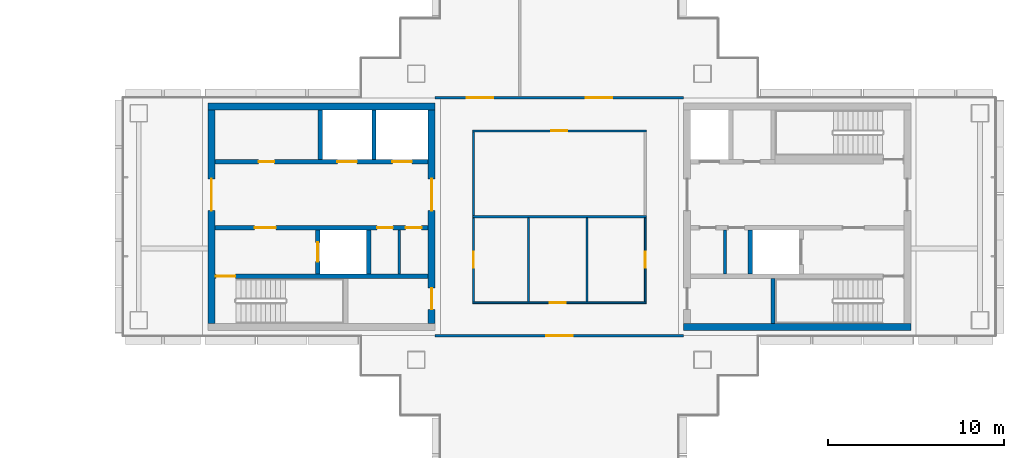
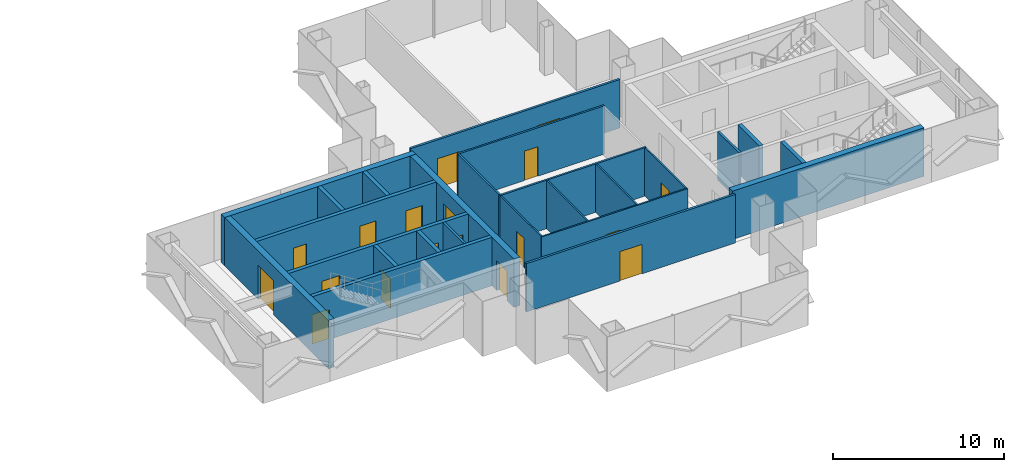
# One storey, part 11 of 17: 25 walls, 18 doors, 18 openings.
"""IFC4 building model written with IfcOpenShell, lengths in metres."""

from ifc_helpers import new_model, si_unit, direction, frame, frame_2d, origin, place, context, subcontext, project, spatial, rectangle, extrude, material, layer, layer_set, type_object, element, fill, save


model = new_model("IFC4")

# Units and contexts
model_context = context("Model", 3, precision=1e-05, world=origin(), true_north=direction((0.0, 1.0)))
body_context = subcontext(model_context, "Body", "Model", "MODEL_VIEW")
ifc_project = project(units=[si_unit("LENGTHUNIT", "METRE"), si_unit("AREAUNIT", "SQUARE_METRE"), si_unit("VOLUMEUNIT", "CUBIC_METRE"), si_unit("PLANEANGLEUNIT", "RADIAN"), si_unit("MASSUNIT", "GRAM", prefix="KILO")], contexts=[model_context])

# Site, building, storey
site_placement = place(None, origin())
site = spatial("IfcSite", under=ifc_project, at=site_placement, CompositionType="ELEMENT")
building_placement = place(site_placement, origin())
building = spatial("IfcBuilding", under=site, at=building_placement, Name="Shamsa Quay Exchange Towers", CompositionType="ELEMENT")
storey_placement = place(building_placement, frame((0.0, 0.0, 221.699951171875)))
storey = spatial("IfcBuildingStorey", under=building, at=storey_placement, Name="L53", CompositionType="ELEMENT", Elevation=221.699951171875)

# Wall
ifc_material_1 = material(Name="Concrete C60/75", Category="concrete")
ifc_layer_1 = layer(ifc_material_1, 0.39990234375)
ifc_layer_set_1 = layer_set([ifc_layer_1], Name="CORE WALL 400 C60/75")
wall_type_1 = type_object("IfcWallType", Name="CORE WALL 400 C60/75", PredefinedType="SHEAR", material=ifc_layer_set_1)
wall_1_placement = place(storey_placement, frame((13.800048828125, 6.25, 0.0)))
element("IfcWall", 1, at=wall_1_placement, inside=storey, type_object=wall_type_1, Name="Core wall T2A-R24-PN", PredefinedType="SHEAR", context=body_context, shape_type="SweptSolid", body=[
    extrude(rectangle(XDim=12.89990234375, YDim=0.39990234375, at=frame_2d((6.449951171875, 0.0))), origin(), (0.0, 0.0, 1.0), 3.449951171875),
])

# Wall, opening, door
wall_2_placement = place(storey_placement, frame((14.0, 6.050048828125, 0.0), z_axis=(0.0, 0.0, 1.0), x_axis=(0.0, -1.0, 0.0)))
wall_2 = element("IfcWall", 2, at=wall_2_placement, inside=storey, type_object=wall_type_1, Name="Core wall T2A-R24-PF", PredefinedType="SHEAR", context=body_context, shape_type="SweptSolid", body=[
    extrude(rectangle(XDim=12.10009765625, YDim=0.39990234375, at=frame_2d((6.050048828125, 0.0))), origin(), (0.0, 0.0, 1.0), 3.449951171875),
])
opening_1_placement = place(wall_2_placement, frame((3.89990234375, 0.0, 0.0)))
opening_1 = element("IfcOpeningElement", 3, at=opening_1_placement, cuts=wall_2, Name="Opening T2A-R24-LBD01", PredefinedType="OPENING", context=body_context, shape_type="SweptSolid", body=[
    extrude(rectangle(XDim=1.800048828125, YDim=2.39990234375, at=frame_2d((0.89990234375, 1.199951171875))), frame((0.0, 0.2099609375, 0.0), z_axis=(0.0, -1.0, 0.0), x_axis=(1.0, 0.0, 0.0)), (0.0, 0.0, 1.0), 0.419921875),
])
ifc_material_2 = material(Name="Steel, fire rated", Category="steel")
door_type_1 = type_object("IfcDoorType", Name="LIFT LOBBY DOOR PAIR 1800", OperationType="DOUBLE_DOOR_SINGLE_SWING", PredefinedType="DOOR", material=ifc_material_2)
door_1_placement = place(opening_1_placement, origin())
door_1 = element("IfcDoor", 4, at=door_1_placement, inside=storey, type_object=door_type_1, Name="T2A-R24-LBD01", OperationType="DOUBLE_DOOR_SINGLE_SWING", OverallHeight=2.39990234375, OverallWidth=1.800048828125, PredefinedType="DOOR", context=body_context, shape_type="SweptSolid", body=[
    extrude(rectangle(XDim=1.800048828125, YDim=2.39990234375, at=frame_2d((0.89990234375, 1.199951171875))), frame((0.0, 0.02490234375, 0.0), z_axis=(0.0, -1.0, 0.0), x_axis=(1.0, 0.0, 0.0)), (0.0, 0.0, 1.0), 0.050048828125),
])
fill(opening_1, door_1)

# Wall, openings, doors
wall_3_placement = place(storey_placement, frame((26.5, 6.050048828125, 0.0), z_axis=(0.0, 0.0, 1.0), x_axis=(0.0, -1.0, 0.0)))
wall_3 = element("IfcWall", 5, at=wall_3_placement, inside=storey, type_object=wall_type_1, Name="Core wall T2A-R24-PB", PredefinedType="SHEAR", context=body_context, shape_type="SweptSolid", body=[
    extrude(rectangle(XDim=12.10009765625, YDim=0.39990234375, at=frame_2d((6.050048828125, 0.0))), origin(), (0.0, 0.0, 1.0), 3.449951171875),
])
opening_2_placement = place(wall_3_placement, frame((10.10009765625, 0.0, 0.0)))
opening_2 = element("IfcOpeningElement", 6, at=opening_2_placement, cuts=wall_3, Name="Opening T2A-R24-RD02", PredefinedType="OPENING", context=body_context, shape_type="SweptSolid", body=[
    extrude(rectangle(XDim=1.199951171875, YDim=2.10009765625, at=frame_2d((0.60009765625, 1.050048828125))), frame((0.0, 0.2099609375, 0.0), z_axis=(0.0, -1.0, 0.0), x_axis=(1.0, 0.0, 0.0)), (0.0, 0.0, 1.0), 0.419921875),
])
opening_3_placement = place(wall_3_placement, frame((3.89990234375, 0.0, 0.0)))
opening_3 = element("IfcOpeningElement", 7, at=opening_3_placement, cuts=wall_3, Name="Opening T2A-R24-LBD03", PredefinedType="OPENING", context=body_context, shape_type="SweptSolid", body=[
    extrude(rectangle(XDim=1.800048828125, YDim=2.39990234375, at=frame_2d((0.89990234375, 1.199951171875))), frame((0.0, 0.2099609375, 0.0), z_axis=(0.0, -1.0, 0.0), x_axis=(1.0, 0.0, 0.0)), (0.0, 0.0, 1.0), 0.419921875),
])
door_2_placement = place(opening_3_placement, origin())
door_2 = element("IfcDoor", 8, at=door_2_placement, inside=storey, type_object=door_type_1, Name="T2A-R24-LBD03", OperationType="DOUBLE_DOOR_SINGLE_SWING", OverallHeight=2.39990234375, OverallWidth=1.800048828125, PredefinedType="DOOR", context=body_context, shape_type="SweptSolid", body=[
    extrude(rectangle(XDim=1.800048828125, YDim=2.39990234375, at=frame_2d((0.89990234375, 1.199951171875))), frame((0.0, 0.02490234375, 0.0), z_axis=(0.0, -1.0, 0.0), x_axis=(1.0, 0.0, 0.0)), (0.0, 0.0, 1.0), 0.050048828125),
])
fill(opening_3, door_2)
door_type_2 = type_object("IfcDoorType", Name="RISER ACCESS DOOR 1200", OperationType="SINGLE_SWING_LEFT", PredefinedType="DOOR", material=ifc_material_2)
door_3_placement = place(opening_2_placement, origin())
door_3 = element("IfcDoor", 9, at=door_3_placement, inside=storey, type_object=door_type_2, Name="T2A-R24-RD02", OperationType="SINGLE_SWING_RIGHT", OverallHeight=2.10009765625, OverallWidth=1.199951171875, PredefinedType="DOOR", context=body_context, shape_type="SweptSolid", body=[
    extrude(rectangle(XDim=1.199951171875, YDim=2.10009765625, at=frame_2d((0.60009765625, 1.050048828125))), frame((0.0, 0.02490234375, 0.0), z_axis=(0.0, -1.0, 0.0), x_axis=(1.0, 0.0, 0.0)), (0.0, 0.0, 1.0), 0.050048828125),
])
fill(opening_2, door_3)

# Walls
wall_4_placement = place(storey_placement, frame((53.699951171875, -6.25, 0.0), z_axis=(0.0, 0.0, 1.0), x_axis=(-1.0, 0.0, 0.0)))
element("IfcWall", 10, at=wall_4_placement, inside=storey, type_object=wall_type_1, Name="Core wall T2B-R24-PS", PredefinedType="SHEAR", context=body_context, shape_type="SweptSolid", body=[
    extrude(rectangle(XDim=12.89990234375, YDim=0.39990234375, at=frame_2d((6.449951171875, 0.0))), origin(), (0.0, 0.0, 1.0), 3.449951171875),
])
ifc_material_3 = material(Name="Gypsum board on steel studs, EI 60", Category="steel")
ifc_layer_2 = layer(ifc_material_3, 0.14990234375)
ifc_layer_set_2 = layer_set([ifc_layer_2], Name="FIRE PARTITION 150")
wall_type_2 = type_object("IfcWallType", Name="FIRE PARTITION 150", PredefinedType="PARTITIONING", material=ifc_layer_set_2)
for number, where, z_axis, x_axis, name in (
    (11, (24.64990234375, -3.25, 0.0), (0.0, 0.0, 1.0), (0.0, 1.0, 0.0), "Partition T2A-R24-EC0"),
    (12, (43.14990234375, -3.25, 0.0), (0.0, 0.0, 1.0), (0.0, 1.0, 0.0), "Partition T2B-R24-EC0"),
):
    element("IfcWall", number, at=place(storey_placement, frame(where, z_axis=z_axis, x_axis=x_axis)), inside=storey, type_object=wall_type_2, Name=name, PredefinedType="PARTITIONING", context=body_context, shape_type="SweptSolid", body=[
        extrude(rectangle(XDim=2.5, YDim=0.14990234375, at=frame_2d((1.25, 0.0))), origin(), (0.0, 0.0, 1.0), 3.449951171875),
    ])
ifc_material_4 = material(Name="Laminated fire-resisting glass in a metal frame", Category="glass")
ifc_layer_3 = layer(ifc_material_4, 0.125)
ifc_layer_set_3 = layer_set([ifc_layer_3], Name="Glazed partition 125 mm EI 60")
wall_type_3 = type_object("IfcWallType", Name="Glazed partition 125 mm EI 60", PredefinedType="PARTITIONING", material=ifc_layer_set_3)
wall_5_placement = place(storey_placement, frame((28.875, 4.8125, 0.0), z_axis=(0.0, 0.0, 1.0), x_axis=(0.0, -1.0, 0.0)))
element("IfcWall", 13, at=wall_5_placement, inside=storey, type_object=wall_type_3, Name="Partition T2-R24-W05", PredefinedType="PARTITIONING", context=body_context, shape_type="SweptSolid", body=[
    extrude(rectangle(XDim=4.75, YDim=0.125, at=frame_2d((2.375, 0.0))), origin(), (0.0, 0.0, 1.0), 3.449951171875),
])

# Wall, opening, door
wall_6_placement = place(storey_placement, frame((38.6875, 4.875, 0.0), z_axis=(0.0, 0.0, 1.0), x_axis=(-1.0, 0.0, 0.0)))
wall_6 = element("IfcWall", 14, at=wall_6_placement, inside=storey, type_object=wall_type_3, Name="Partition T2-R24-W06", PredefinedType="PARTITIONING", context=body_context, shape_type="SweptSolid", body=[
    extrude(rectangle(XDim=9.875, YDim=0.125, at=frame_2d((4.9375, 0.0))), origin(), (0.0, 0.0, 1.0), 3.449951171875),
])
opening_4_placement = place(wall_6_placement, frame((4.487548828125, 0.0, 0.0)))
opening_4 = element("IfcOpeningElement", 15, at=opening_4_placement, cuts=wall_6, Name="Opening T2-R24-D06", PredefinedType="OPENING", context=body_context, shape_type="SweptSolid", body=[
    extrude(rectangle(XDim=0.89990234375, YDim=2.10009765625, at=frame_2d((0.449951171875, 1.050048828125))), frame((0.0, 0.072509765625, 0.0), z_axis=(0.0, -1.0, 0.0), x_axis=(1.0, 0.0, 0.0)), (0.0, 0.0, 1.0), 0.14501953125),
])
ifc_material_5 = material(Name="Timber door leaf in a metal frame", Category="wood")
door_type_3 = type_object("IfcDoorType", Name="Door 900x2100 FD30S", OperationType="NOTDEFINED", PredefinedType="DOOR", material=ifc_material_5)
door_4_placement = place(opening_4_placement, origin())
door_4 = element("IfcDoor", 16, at=door_4_placement, inside=storey, type_object=door_type_3, Name="Door T2-R24-D06", OperationType="SINGLE_SWING_LEFT", OverallHeight=2.10009765625, OverallWidth=0.89990234375, PredefinedType="DOOR", context=body_context, shape_type="SweptSolid", body=[
    extrude(rectangle(XDim=0.89990234375, YDim=2.10009765625, at=frame_2d((0.449951171875, 1.050048828125))), frame((0.0, 0.02490234375, 0.0), z_axis=(0.0, -1.0, 0.0), x_axis=(1.0, 0.0, 0.0)), (0.0, 0.0, 1.0), 0.050048828125),
])
fill(opening_4, door_4)

# Wall
wall_7_placement = place(storey_placement, frame((38.6875, 0.0, 0.0), z_axis=(0.0, 0.0, 1.0), x_axis=(-1.0, 0.0, 0.0)))
element("IfcWall", 17, at=wall_7_placement, inside=storey, type_object=wall_type_3, Name="Partition T2-R24-W10", PredefinedType="PARTITIONING", context=body_context, shape_type="SweptSolid", body=[
    extrude(rectangle(XDim=9.875, YDim=0.125, at=frame_2d((4.9375, 0.0))), origin(), (0.0, 0.0, 1.0), 3.449951171875),
])

# Wall, opening, door
ifc_material_6 = material(Name="Gypsum board partition on metal studs")
ifc_layer_4 = layer(ifc_material_6, 0.10009765625)
ifc_layer_set_4 = layer_set([ifc_layer_4], Name="Partition 100 mm NOT RATED")
wall_type_4 = type_object("IfcWallType", Name="Partition 100 mm NOT RATED", PredefinedType="PARTITIONING", material=ifc_layer_set_4)
wall_8_placement = place(storey_placement, frame((38.625, -4.824951171875, 0.0), z_axis=(0.0, 0.0, 1.0), x_axis=(0.0, 1.0, 0.0)))
wall_8 = element("IfcWall", 18, at=wall_8_placement, inside=storey, type_object=wall_type_4, Name="Partition T2-R24-W01", PredefinedType="PARTITIONING", context=body_context, shape_type="SweptSolid", body=[
    extrude(rectangle(XDim=4.762451171875, YDim=0.10009765625, at=frame_2d((2.38134765625, 0.0))), origin(), (0.0, 0.0, 1.0), 3.449951171875),
])
opening_5_placement = place(wall_8_placement, frame((1.9375, 0.0, 0.0)))
opening_5 = element("IfcOpeningElement", 19, at=opening_5_placement, cuts=wall_8, Name="Opening T2-R24-D04", PredefinedType="OPENING", context=body_context, shape_type="SweptSolid", body=[
    extrude(rectangle(XDim=0.89990234375, YDim=2.10009765625, at=frame_2d((0.449951171875, 1.050048828125))), frame((0.0, 0.06005859375, 0.0), z_axis=(0.0, -1.0, 0.0), x_axis=(1.0, 0.0, 0.0)), (0.0, 0.0, 1.0), 0.1201171875),
])
door_type_4 = type_object("IfcDoorType", Name="Door 900x2100 NOT RATED", OperationType="NOTDEFINED", PredefinedType="DOOR", material=ifc_material_5)
door_5_placement = place(opening_5_placement, origin())
door_5 = element("IfcDoor", 20, at=door_5_placement, inside=storey, type_object=door_type_4, Name="Door T2-R24-D04", OperationType="SINGLE_SWING_LEFT", OverallHeight=2.10009765625, OverallWidth=0.89990234375, PredefinedType="DOOR", context=body_context, shape_type="SweptSolid", body=[
    extrude(rectangle(XDim=0.89990234375, YDim=2.10009765625, at=frame_2d((0.449951171875, 1.050048828125))), frame((0.0, 0.02490234375, 0.0), z_axis=(0.0, -1.0, 0.0), x_axis=(1.0, 0.0, 0.0)), (0.0, 0.0, 1.0), 0.050048828125),
])
fill(opening_5, door_5)

wall_9_placement = place(storey_placement, frame((28.824951171875, -4.875, 0.0)))
wall_9 = element("IfcWall", 21, at=wall_9_placement, inside=storey, type_object=wall_type_4, Name="Partition T2-R24-W02", PredefinedType="PARTITIONING", context=body_context, shape_type="SweptSolid", body=[
    extrude(rectangle(XDim=9.85009765625, YDim=0.10009765625, at=frame_2d((4.925048828125, 0.0))), origin(), (0.0, 0.0, 1.0), 3.449951171875),
])
opening_6_placement = place(wall_9_placement, frame((4.381103515625, 0.0, 0.0)))
opening_6 = element("IfcOpeningElement", 22, at=opening_6_placement, cuts=wall_9, Name="Opening T2-R24-D03", PredefinedType="OPENING", context=body_context, shape_type="SweptSolid", body=[
    extrude(rectangle(XDim=0.89990234375, YDim=2.10009765625, at=frame_2d((0.449951171875, 1.050048828125))), frame((0.0, 0.06005859375, 0.0), z_axis=(0.0, -1.0, 0.0), x_axis=(1.0, 0.0, 0.0)), (0.0, 0.0, 1.0), 0.1201171875),
])
door_6_placement = place(opening_6_placement, origin())
door_6 = element("IfcDoor", 23, at=door_6_placement, inside=storey, type_object=door_type_4, Name="Door T2-R24-D03", OperationType="SINGLE_SWING_RIGHT", OverallHeight=2.10009765625, OverallWidth=0.89990234375, PredefinedType="DOOR", context=body_context, shape_type="SweptSolid", body=[
    extrude(rectangle(XDim=0.89990234375, YDim=2.10009765625, at=frame_2d((0.449951171875, 1.050048828125))), frame((0.0, 0.02490234375, 0.0), z_axis=(0.0, -1.0, 0.0), x_axis=(1.0, 0.0, 0.0)), (0.0, 0.0, 1.0), 0.050048828125),
])
fill(opening_6, door_6)

wall_10_placement = place(storey_placement, frame((28.875, -0.0625, 0.0), z_axis=(0.0, 0.0, 1.0), x_axis=(0.0, -1.0, 0.0)))
wall_10 = element("IfcWall", 24, at=wall_10_placement, inside=storey, type_object=wall_type_4, Name="Partition T2-R24-W03", PredefinedType="PARTITIONING", context=body_context, shape_type="SweptSolid", body=[
    extrude(rectangle(XDim=4.762451171875, YDim=0.10009765625, at=frame_2d((2.38134765625, 0.0))), origin(), (0.0, 0.0, 1.0), 3.449951171875),
])
opening_7_placement = place(wall_10_placement, frame((1.925048828125, 0.0, 0.0)))
opening_7 = element("IfcOpeningElement", 25, at=opening_7_placement, cuts=wall_10, Name="Opening T2-R24-D05", PredefinedType="OPENING", context=body_context, shape_type="SweptSolid", body=[
    extrude(rectangle(XDim=0.89990234375, YDim=2.10009765625, at=frame_2d((0.449951171875, 1.050048828125))), frame((0.0, 0.06005859375, 0.0), z_axis=(0.0, -1.0, 0.0), x_axis=(1.0, 0.0, 0.0)), (0.0, 0.0, 1.0), 0.1201171875),
])
door_7_placement = place(opening_7_placement, origin())
door_7 = element("IfcDoor", 26, at=door_7_placement, inside=storey, type_object=door_type_4, Name="Door T2-R24-D05", OperationType="SINGLE_SWING_RIGHT", OverallHeight=2.10009765625, OverallWidth=0.89990234375, PredefinedType="DOOR", context=body_context, shape_type="SweptSolid", body=[
    extrude(rectangle(XDim=0.89990234375, YDim=2.10009765625, at=frame_2d((0.449951171875, 1.050048828125))), frame((0.0, 0.02490234375, 0.0), z_axis=(0.0, -1.0, 0.0), x_axis=(1.0, 0.0, 0.0)), (0.0, 0.0, 1.0), 0.050048828125),
])
fill(opening_7, door_7)

# Walls
for number, where, z_axis, x_axis, name in (
    (27, (35.3125, -0.0625, 0.0), (0.0, 0.0, 1.0), (0.0, -1.0, 0.0), "Partition T2-R24-W09"),
    (28, (32.0, -0.0625, 0.0), (0.0, 0.0, 1.0), (0.0, -1.0, 0.0), "Partition T2-R24-W11"),
):
    element("IfcWall", number, at=place(storey_placement, frame(where, z_axis=z_axis, x_axis=x_axis)), inside=storey, type_object=wall_type_4, Name=name, PredefinedType="PARTITIONING", context=body_context, shape_type="SweptSolid", body=[
        extrude(rectangle(XDim=4.762451171875, YDim=0.10009765625, at=frame_2d((2.38134765625, 0.0))), origin(), (0.0, 0.0, 1.0), 3.449951171875),
    ])

# Wall, openings, doors
ifc_layer_5 = layer(ifc_material_6, 0.14990234375)
ifc_layer_set_5 = layer_set([ifc_layer_5], Name="Partition 150 mm EI 60")
wall_type_5 = type_object("IfcWallType", Name="Partition 150 mm EI 60", PredefinedType="PARTITIONING", material=ifc_layer_set_5)
wall_11_placement = place(storey_placement, frame((26.699951171875, 6.75, 0.0)))
wall_11 = element("IfcWall", 29, at=wall_11_placement, inside=storey, type_object=wall_type_5, Name="Partition T2-R24-W07", PredefinedType="PARTITIONING", context=body_context, shape_type="SweptSolid", body=[
    extrude(rectangle(XDim=14.10009765625, YDim=0.14990234375, at=frame_2d((7.050048828125, 0.0))), origin(), (0.0, 0.0, 1.0), 3.449951171875),
])
opening_8_placement = place(wall_11_placement, frame((8.550048828125, 0.0, 0.0)))
opening_8 = element("IfcOpeningElement", 30, at=opening_8_placement, cuts=wall_11, Name="Opening T2-R24-D01", PredefinedType="OPENING", context=body_context, shape_type="SweptSolid", body=[
    extrude(rectangle(XDim=1.5, YDim=2.10009765625, at=frame_2d((0.75, 1.050048828125))), frame((0.0, 0.0849609375, 0.0), z_axis=(0.0, -1.0, 0.0), x_axis=(1.0, 0.0, 0.0)), (0.0, 0.0, 1.0), 0.169921875),
])
opening_9_placement = place(wall_11_placement, frame((1.800048828125, 0.0, 0.0)))
opening_9 = element("IfcOpeningElement", 31, at=opening_9_placement, cuts=wall_11, Name="Opening T2-R24-D02", PredefinedType="OPENING", context=body_context, shape_type="SweptSolid", body=[
    extrude(rectangle(XDim=1.5, YDim=2.10009765625, at=frame_2d((0.75, 1.050048828125))), frame((0.0, 0.0849609375, 0.0), z_axis=(0.0, -1.0, 0.0), x_axis=(1.0, 0.0, 0.0)), (0.0, 0.0, 1.0), 0.169921875),
])
door_type_5 = type_object("IfcDoorType", Name="Door 1500x2100 FD30S pair", OperationType="NOTDEFINED", PredefinedType="DOOR", material=ifc_material_5)
door_8_placement = place(opening_8_placement, origin())
door_8 = element("IfcDoor", 32, at=door_8_placement, inside=storey, type_object=door_type_5, Name="Door T2-R24-D01", OperationType="DOUBLE_DOOR_SINGLE_SWING", OverallHeight=2.10009765625, OverallWidth=1.5, PredefinedType="DOOR", context=body_context, shape_type="SweptSolid", body=[
    extrude(rectangle(XDim=1.5, YDim=2.10009765625, at=frame_2d((0.75, 1.050048828125))), frame((0.0, 0.02490234375, 0.0), z_axis=(0.0, -1.0, 0.0), x_axis=(1.0, 0.0, 0.0)), (0.0, 0.0, 1.0), 0.050048828125),
])
fill(opening_8, door_8)
door_9_placement = place(opening_9_placement, origin())
door_9 = element("IfcDoor", 33, at=door_9_placement, inside=storey, type_object=door_type_5, Name="Door T2-R24-D02", OperationType="DOUBLE_DOOR_SINGLE_SWING", OverallHeight=2.10009765625, OverallWidth=1.5, PredefinedType="DOOR", context=body_context, shape_type="SweptSolid", body=[
    extrude(rectangle(XDim=1.5, YDim=2.10009765625, at=frame_2d((0.75, 1.050048828125))), frame((0.0, 0.02490234375, 0.0), z_axis=(0.0, -1.0, 0.0), x_axis=(1.0, 0.0, 0.0)), (0.0, 0.0, 1.0), 0.050048828125),
])
fill(opening_9, door_9)

# Wall, opening, door
wall_12_placement = place(storey_placement, frame((40.800048828125, -6.75, 0.0), z_axis=(0.0, 0.0, 1.0), x_axis=(-1.0, 0.0, 0.0)))
wall_12 = element("IfcWall", 34, at=wall_12_placement, inside=storey, type_object=wall_type_5, Name="Partition T2-R24-W08", PredefinedType="PARTITIONING", context=body_context, shape_type="SweptSolid", body=[
    extrude(rectangle(XDim=14.10009765625, YDim=0.14990234375, at=frame_2d((7.050048828125, 0.0))), origin(), (0.0, 0.0, 1.0), 3.449951171875),
])
opening_10_placement = place(wall_12_placement, frame((6.300048828125, 0.0, 0.0)))
opening_10 = element("IfcOpeningElement", 35, at=opening_10_placement, cuts=wall_12, Name="Opening T2-R24-D07", PredefinedType="OPENING", context=body_context, shape_type="SweptSolid", body=[
    extrude(rectangle(XDim=1.5, YDim=2.10009765625, at=frame_2d((0.75, 1.050048828125))), frame((0.0, 0.0849609375, 0.0), z_axis=(0.0, -1.0, 0.0), x_axis=(1.0, 0.0, 0.0)), (0.0, 0.0, 1.0), 0.169921875),
])
door_10_placement = place(opening_10_placement, origin())
door_10 = element("IfcDoor", 36, at=door_10_placement, inside=storey, type_object=door_type_5, Name="Door T2-R24-D07", OperationType="DOUBLE_DOOR_SINGLE_SWING", OverallHeight=2.10009765625, OverallWidth=1.5, PredefinedType="DOOR", context=body_context, shape_type="SweptSolid", body=[
    extrude(rectangle(XDim=1.5, YDim=2.10009765625, at=frame_2d((0.75, 1.050048828125))), frame((0.0, 0.02490234375, 0.0), z_axis=(0.0, -1.0, 0.0), x_axis=(1.0, 0.0, 0.0)), (0.0, 0.0, 1.0), 0.050048828125),
])
fill(opening_10, door_10)

ifc_material_7 = material(Name="Concrete C50/60", Category="concrete")
ifc_layer_6 = layer(ifc_material_7, 0.25)
ifc_layer_set_6 = layer_set([ifc_layer_6], Name="SHAFT WALL 250 C50/60")
wall_type_6 = type_object("IfcWallType", Name="SHAFT WALL 250 C50/60", PredefinedType="SHEAR", material=ifc_layer_set_6)
wall_13_placement = place(storey_placement, frame((26.300048828125, -3.375, 0.0), z_axis=(0.0, 0.0, 1.0), x_axis=(-1.0, 0.0, 0.0)))
wall_13 = element("IfcWall", 37, at=wall_13_placement, inside=storey, type_object=wall_type_6, Name="Shaft wall T2A-R24-STL", PredefinedType="SHEAR", context=body_context, shape_type="SweptSolid", body=[
    extrude(rectangle(XDim=12.10009765625, YDim=0.25, at=frame_2d((6.050048828125, 0.0))), origin(), (0.0, 0.0, 1.0), 3.449951171875),
])
opening_11_placement = place(wall_13_placement, frame((10.949951171875, 0.0, 0.0)))
opening_11 = element("IfcOpeningElement", 38, at=opening_11_placement, cuts=wall_13, Name="Opening T2A-R24-SD04", PredefinedType="OPENING", context=body_context, shape_type="SweptSolid", body=[
    extrude(rectangle(XDim=1.10009765625, YDim=2.10009765625, at=frame_2d((0.550048828125, 1.050048828125))), frame((0.0, 0.135009765625, 0.0), z_axis=(0.0, -1.0, 0.0), x_axis=(1.0, 0.0, 0.0)), (0.0, 0.0, 1.0), 0.27001953125),
])
door_type_6 = type_object("IfcDoorType", Name="STAIR DOOR 1100", OperationType="SINGLE_SWING_LEFT", PredefinedType="DOOR", material=ifc_material_2)
door_11_placement = place(opening_11_placement, origin())
door_11 = element("IfcDoor", 39, at=door_11_placement, inside=storey, type_object=door_type_6, Name="T2A-R24-SD04", OperationType="SINGLE_SWING_RIGHT", OverallHeight=2.10009765625, OverallWidth=1.10009765625, PredefinedType="DOOR", context=body_context, shape_type="SweptSolid", body=[
    extrude(rectangle(XDim=1.10009765625, YDim=2.10009765625, at=frame_2d((0.550048828125, 1.050048828125))), frame((0.0, 0.02490234375, 0.0), z_axis=(0.0, -1.0, 0.0), x_axis=(1.0, 0.0, 0.0)), (0.0, 0.0, 1.0), 0.050048828125),
])
fill(opening_11, door_11)

# Wall, openings, doors
wall_14_placement = place(storey_placement, frame((26.300048828125, -0.625, 0.0), z_axis=(0.0, 0.0, 1.0), x_axis=(-1.0, 0.0, 0.0)))
wall_14 = element("IfcWall", 40, at=wall_14_placement, inside=storey, type_object=wall_type_6, Name="Shaft wall T2A-R24-B", PredefinedType="SHEAR", context=body_context, shape_type="SweptSolid", body=[
    extrude(rectangle(XDim=12.10009765625, YDim=0.25, at=frame_2d((6.050048828125, 0.0))), origin(), (0.0, 0.0, 1.0), 3.449951171875),
])
opening_12_placement = place(wall_14_placement, frame((8.64990234375, 0.0, 0.0)))
opening_12 = element("IfcOpeningElement", 41, at=opening_12_placement, cuts=wall_14, Name="Opening T2A-R24-FD05", PredefinedType="OPENING", context=body_context, shape_type="SweptSolid", body=[
    extrude(rectangle(XDim=1.199951171875, YDim=2.10009765625, at=frame_2d((0.60009765625, 1.050048828125))), frame((0.0, 0.135009765625, 0.0), z_axis=(0.0, -1.0, 0.0), x_axis=(1.0, 0.0, 0.0)), (0.0, 0.0, 1.0), 0.27001953125),
])
opening_13_placement = place(wall_14_placement, frame((2.0, 0.0, 0.0)))
opening_13 = element("IfcOpeningElement", 42, at=opening_13_placement, cuts=wall_14, Name="Opening T2A-R24-SV06", PredefinedType="OPENING", context=body_context, shape_type="SweptSolid", body=[
    extrude(rectangle(XDim=0.89990234375, YDim=2.10009765625, at=frame_2d((0.449951171875, 1.050048828125))), frame((0.0, 0.135009765625, 0.0), z_axis=(0.0, -1.0, 0.0), x_axis=(1.0, 0.0, 0.0)), (0.0, 0.0, 1.0), 0.27001953125),
])
opening_14_placement = place(wall_14_placement, frame((0.375, 0.0, 0.0)))
opening_14 = element("IfcOpeningElement", 43, at=opening_14_placement, cuts=wall_14, Name="Opening T2A-R24-SV07", PredefinedType="OPENING", context=body_context, shape_type="SweptSolid", body=[
    extrude(rectangle(XDim=0.89990234375, YDim=2.10009765625, at=frame_2d((0.449951171875, 1.050048828125))), frame((0.0, 0.135009765625, 0.0), z_axis=(0.0, -1.0, 0.0), x_axis=(1.0, 0.0, 0.0)), (0.0, 0.0, 1.0), 0.27001953125),
])
door_type_7 = type_object("IfcDoorType", Name="FIRE SERVICE LOBBY DOOR 1200", OperationType="SINGLE_SWING_LEFT", PredefinedType="DOOR", material=ifc_material_2)
door_12_placement = place(opening_12_placement, origin())
door_12 = element("IfcDoor", 44, at=door_12_placement, inside=storey, type_object=door_type_7, Name="T2A-R24-FD05", OperationType="SINGLE_SWING_RIGHT", OverallHeight=2.10009765625, OverallWidth=1.199951171875, PredefinedType="DOOR", context=body_context, shape_type="SweptSolid", body=[
    extrude(rectangle(XDim=1.199951171875, YDim=2.10009765625, at=frame_2d((0.60009765625, 1.050048828125))), frame((0.0, 0.02490234375, 0.0), z_axis=(0.0, -1.0, 0.0), x_axis=(1.0, 0.0, 0.0)), (0.0, 0.0, 1.0), 0.050048828125),
])
fill(opening_12, door_12)
door_type_8 = type_object("IfcDoorType", Name="SERVICE ROOM DOOR 900", OperationType="SINGLE_SWING_LEFT", PredefinedType="DOOR", material=ifc_material_2)
door_13_placement = place(opening_13_placement, origin())
door_13 = element("IfcDoor", 45, at=door_13_placement, inside=storey, type_object=door_type_8, Name="T2A-R24-SV06", OperationType="SINGLE_SWING_LEFT", OverallHeight=2.10009765625, OverallWidth=0.89990234375, PredefinedType="DOOR", context=body_context, shape_type="SweptSolid", body=[
    extrude(rectangle(XDim=0.89990234375, YDim=2.10009765625, at=frame_2d((0.449951171875, 1.050048828125))), frame((0.0, 0.02490234375, 0.0), z_axis=(0.0, -1.0, 0.0), x_axis=(1.0, 0.0, 0.0)), (0.0, 0.0, 1.0), 0.050048828125),
])
fill(opening_13, door_13)
door_14_placement = place(opening_14_placement, origin())
door_14 = element("IfcDoor", 46, at=door_14_placement, inside=storey, type_object=door_type_8, Name="T2A-R24-SV07", OperationType="SINGLE_SWING_LEFT", OverallHeight=2.10009765625, OverallWidth=0.89990234375, PredefinedType="DOOR", context=body_context, shape_type="SweptSolid", body=[
    extrude(rectangle(XDim=0.89990234375, YDim=2.10009765625, at=frame_2d((0.449951171875, 1.050048828125))), frame((0.0, 0.02490234375, 0.0), z_axis=(0.0, -1.0, 0.0), x_axis=(1.0, 0.0, 0.0)), (0.0, 0.0, 1.0), 0.050048828125),
])
fill(opening_14, door_14)

# Wall, opening, door
wall_15_placement = place(storey_placement, frame((20.02490234375, -3.25, 0.0), z_axis=(0.0, 0.0, 1.0), x_axis=(0.0, 1.0, 0.0)))
wall_15 = element("IfcWall", 47, at=wall_15_placement, inside=storey, type_object=wall_type_6, Name="Shaft wall T2A-R24-FFF", PredefinedType="SHEAR", context=body_context, shape_type="SweptSolid", body=[
    extrude(rectangle(XDim=2.5, YDim=0.25, at=frame_2d((1.25, 0.0))), origin(), (0.0, 0.0, 1.0), 3.449951171875),
])
opening_15_placement = place(wall_15_placement, frame((0.699951171875, 0.0, 0.0)))
opening_15 = element("IfcOpeningElement", 48, at=opening_15_placement, cuts=wall_15, Name="Opening T2A-R24-LDF08", PredefinedType="OPENING", context=body_context, shape_type="SweptSolid", body=[
    extrude(rectangle(XDim=1.10009765625, YDim=2.10009765625, at=frame_2d((0.550048828125, 1.050048828125))), frame((0.0, 0.135009765625, 0.0), z_axis=(0.0, -1.0, 0.0), x_axis=(1.0, 0.0, 0.0)), (0.0, 0.0, 1.0), 0.27001953125),
])
door_type_9 = type_object("IfcDoorType", Name="FIRE SERVICE LANDING DOOR 1100", OperationType="SLIDING_TO_LEFT", PredefinedType="DOOR", material=ifc_material_2)
door_15_placement = place(opening_15_placement, origin())
door_15 = element("IfcDoor", 49, at=door_15_placement, inside=storey, type_object=door_type_9, Name="T2A-R24-LDF08", OperationType="SLIDING_TO_LEFT", OverallHeight=2.10009765625, OverallWidth=1.10009765625, PredefinedType="DOOR", context=body_context, shape_type="SweptSolid", body=[
    extrude(rectangle(XDim=1.10009765625, YDim=2.10009765625, at=frame_2d((0.550048828125, 1.050048828125))), frame((0.0, 0.02490234375, 0.0), z_axis=(0.0, -1.0, 0.0), x_axis=(1.0, 0.0, 0.0)), (0.0, 0.0, 1.0), 0.050048828125),
])
fill(opening_15, door_15)

# Wall
wall_16_placement = place(storey_placement, frame((22.925048828125, -3.25, 0.0), z_axis=(0.0, 0.0, 1.0), x_axis=(0.0, 1.0, 0.0)))
element("IfcWall", 50, at=wall_16_placement, inside=storey, type_object=wall_type_6, Name="Shaft wall T2A-R24-FFB", PredefinedType="SHEAR", context=body_context, shape_type="SweptSolid", body=[
    extrude(rectangle(XDim=2.5, YDim=0.25, at=frame_2d((1.25, 0.0))), origin(), (0.0, 0.0, 1.0), 3.449951171875),
])

# Wall, openings, doors
wall_17_placement = place(storey_placement, frame((14.199951171875, 3.125, 0.0)))
wall_17 = element("IfcWall", 51, at=wall_17_placement, inside=storey, type_object=wall_type_6, Name="Shaft wall T2A-R24-N", PredefinedType="SHEAR", context=body_context, shape_type="SweptSolid", body=[
    extrude(rectangle(XDim=12.10009765625, YDim=0.25, at=frame_2d((6.050048828125, 0.0))), origin(), (0.0, 0.0, 1.0), 3.449951171875),
])
opening_16_placement = place(wall_17_placement, frame((6.949951171875, 0.0, 0.0)))
opening_16 = element("IfcOpeningElement", 52, at=opening_16_placement, cuts=wall_17, Name="Opening T2A-R24-LD09", PredefinedType="OPENING", context=body_context, shape_type="SweptSolid", body=[
    extrude(rectangle(XDim=1.10009765625, YDim=2.10009765625, at=frame_2d((0.550048828125, 1.050048828125))), frame((0.0, 0.135009765625, 0.0), z_axis=(0.0, -1.0, 0.0), x_axis=(1.0, 0.0, 0.0)), (0.0, 0.0, 1.0), 0.27001953125),
])
opening_17_placement = place(wall_17_placement, frame((10.074951171875, 0.0, 0.0)))
opening_17 = element("IfcOpeningElement", 53, at=opening_17_placement, cuts=wall_17, Name="Opening T2A-R24-LD10", PredefinedType="OPENING", context=body_context, shape_type="SweptSolid", body=[
    extrude(rectangle(XDim=1.10009765625, YDim=2.10009765625, at=frame_2d((0.550048828125, 1.050048828125))), frame((0.0, 0.135009765625, 0.0), z_axis=(0.0, -1.0, 0.0), x_axis=(1.0, 0.0, 0.0)), (0.0, 0.0, 1.0), 0.27001953125),
])
opening_18_placement = place(wall_17_placement, frame((2.47509765625, 0.0, 0.0)))
opening_18 = element("IfcOpeningElement", 54, at=opening_18_placement, cuts=wall_17, Name="Opening T2A-R24-SV11", PredefinedType="OPENING", context=body_context, shape_type="SweptSolid", body=[
    extrude(rectangle(XDim=0.89990234375, YDim=2.10009765625, at=frame_2d((0.449951171875, 1.050048828125))), frame((0.0, 0.135009765625, 0.0), z_axis=(0.0, -1.0, 0.0), x_axis=(1.0, 0.0, 0.0)), (0.0, 0.0, 1.0), 0.27001953125),
])
door_type_10 = type_object("IfcDoorType", Name="LANDING DOOR 1100", OperationType="SLIDING_TO_LEFT", PredefinedType="DOOR", material=ifc_material_2)
door_16_placement = place(opening_16_placement, origin())
door_16 = element("IfcDoor", 55, at=door_16_placement, inside=storey, type_object=door_type_10, Name="T2A-R24-LD09", OperationType="SLIDING_TO_LEFT", OverallHeight=2.10009765625, OverallWidth=1.10009765625, PredefinedType="DOOR", context=body_context, shape_type="SweptSolid", body=[
    extrude(rectangle(XDim=1.10009765625, YDim=2.10009765625, at=frame_2d((0.550048828125, 1.050048828125))), frame((0.0, 0.02490234375, 0.0), z_axis=(0.0, -1.0, 0.0), x_axis=(1.0, 0.0, 0.0)), (0.0, 0.0, 1.0), 0.050048828125),
])
fill(opening_16, door_16)
door_17_placement = place(opening_17_placement, origin())
door_17 = element("IfcDoor", 56, at=door_17_placement, inside=storey, type_object=door_type_10, Name="T2A-R24-LD10", OperationType="SLIDING_TO_LEFT", OverallHeight=2.10009765625, OverallWidth=1.10009765625, PredefinedType="DOOR", context=body_context, shape_type="SweptSolid", body=[
    extrude(rectangle(XDim=1.10009765625, YDim=2.10009765625, at=frame_2d((0.550048828125, 1.050048828125))), frame((0.0, 0.02490234375, 0.0), z_axis=(0.0, -1.0, 0.0), x_axis=(1.0, 0.0, 0.0)), (0.0, 0.0, 1.0), 0.050048828125),
])
fill(opening_17, door_17)
door_18_placement = place(opening_18_placement, origin())
door_18 = element("IfcDoor", 57, at=door_18_placement, inside=storey, type_object=door_type_8, Name="T2A-R24-SV11", OperationType="SINGLE_SWING_LEFT", OverallHeight=2.10009765625, OverallWidth=0.89990234375, PredefinedType="DOOR", context=body_context, shape_type="SweptSolid", body=[
    extrude(rectangle(XDim=0.89990234375, YDim=2.10009765625, at=frame_2d((0.449951171875, 1.050048828125))), frame((0.0, 0.02490234375, 0.0), z_axis=(0.0, -1.0, 0.0), x_axis=(1.0, 0.0, 0.0)), (0.0, 0.0, 1.0), 0.050048828125),
])
fill(opening_18, door_18)

# Walls
for number, where, z_axis, x_axis, name in (
    (58, (20.175048828125, 3.25, 0.0), (0.0, 0.0, 1.0), (0.0, 1.0, 0.0), "Shaft wall T2A-R24-D1"),
    (59, (23.22509765625, 3.25, 0.0), (0.0, 0.0, 1.0), (0.0, 1.0, 0.0), "Shaft wall T2A-R24-D2"),
):
    element("IfcWall", number, at=place(storey_placement, frame(where, z_axis=z_axis, x_axis=x_axis)), inside=storey, type_object=wall_type_6, Name=name, PredefinedType="SHEAR", context=body_context, shape_type="SweptSolid", body=[
        extrude(rectangle(XDim=2.800048828125, YDim=0.25, at=frame_2d((1.39990234375, 0.0))), origin(), (0.0, 0.0, 1.0), 3.449951171875),
    ])
wall_18_placement = place(storey_placement, frame((45.875, -6.050048828125, 0.0), z_axis=(0.0, 0.0, 1.0), x_axis=(0.0, 1.0, 0.0)))
element("IfcWall", 60, at=wall_18_placement, inside=storey, type_object=wall_type_6, Name="Shaft wall T2B-R24-STF", PredefinedType="SHEAR", context=body_context, shape_type="SweptSolid", body=[
    extrude(rectangle(XDim=2.550048828125, YDim=0.25, at=frame_2d((1.27490234375, 0.0))), origin(), (0.0, 0.0, 1.0), 3.449951171875),
])
wall_19_placement = place(storey_placement, frame((44.574951171875, -3.25, 0.0), z_axis=(0.0, 0.0, 1.0), x_axis=(0.0, 1.0, 0.0)))
element("IfcWall", 61, at=wall_19_placement, inside=storey, type_object=wall_type_6, Name="Shaft wall T2B-R24-FFB", PredefinedType="SHEAR", context=body_context, shape_type="SweptSolid", body=[
    extrude(rectangle(XDim=2.5, YDim=0.25, at=frame_2d((1.25, 0.0))), origin(), (0.0, 0.0, 1.0), 3.449951171875),
])

save(model, "model.ifc")
